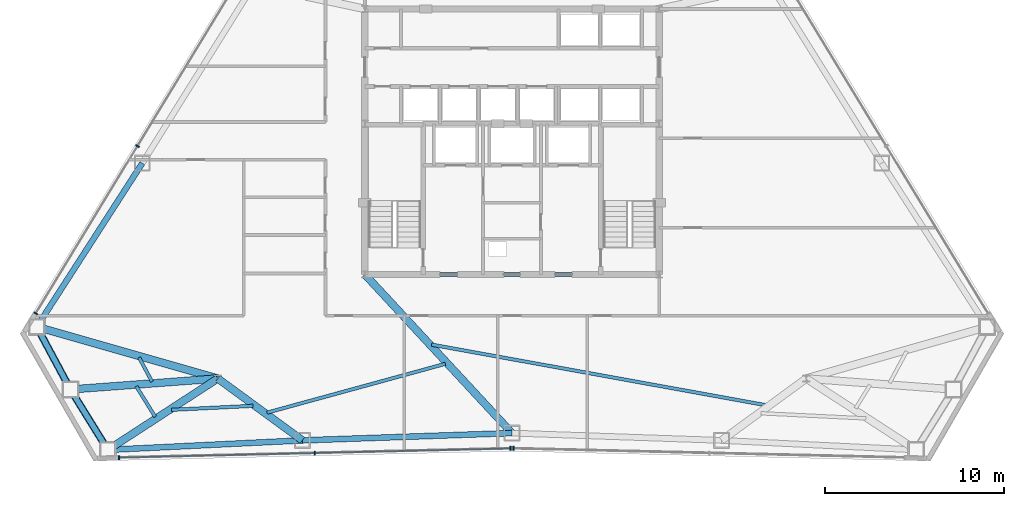
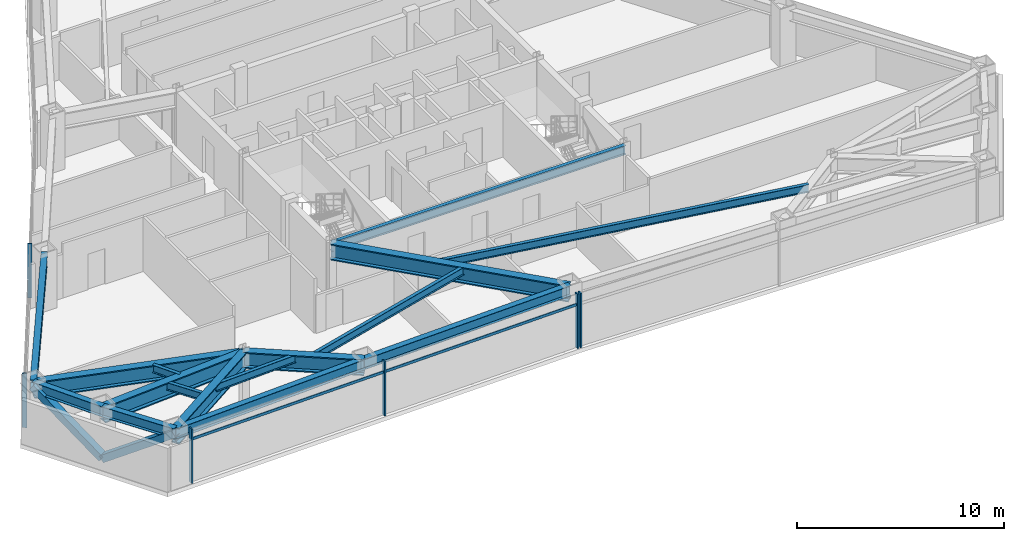
# One storey, part 3 of 11: 16 beams, 9 members, 3 elements without a shape of their own.
"""IFC4 building model written with IfcOpenShell, lengths in metres."""

from ifc_helpers import new_model, si_unit, direction, frame, origin, origin_2d, place, context, subcontext, project, spatial, rectangle, hollow_rectangle, i_section, extrude, source, transform, mapped, material, layer, layer_set, material_profile, profile_set, type_object, type_shapes, element, aggregate, save


model = new_model("IFC4")

# Units and contexts
model_context = context("Model", 3, precision=1e-05, world=origin(), true_north=direction((0.0, 1.0)))
body_context = subcontext(model_context, "Body", "Model", "MODEL_VIEW")
ifc_project = project(units=[si_unit("LENGTHUNIT", "METRE"), si_unit("AREAUNIT", "SQUARE_METRE"), si_unit("VOLUMEUNIT", "CUBIC_METRE"), si_unit("PLANEANGLEUNIT", "RADIAN"), si_unit("MASSUNIT", "GRAM", prefix="KILO")], contexts=[model_context])

# Site, building, storey
site_placement = place(None, origin())
site = spatial("IfcSite", under=ifc_project, at=site_placement, CompositionType="ELEMENT")
building_placement = place(site_placement, origin())
building = spatial("IfcBuilding", under=site, at=building_placement, Name="Varakhsha Concourse Tower", CompositionType="ELEMENT")
storey_placement = place(building_placement, frame((0.0, 0.0, 150.5)))
storey = spatial("IfcBuildingStorey", under=building, at=storey_placement, Name="L43", CompositionType="ELEMENT", Elevation=150.5)

# Beams
ifc_material_1 = material(Name="Structural Steel ASTM A992 Grade 50", Category="steel")
ifc_material_profile_1 = material_profile(ifc_material_1, i_section(OverallWidth=0.19091796875, OverallDepth=0.45703125, WebThickness=0.009033203125, FlangeThickness=0.013916015625, at=origin_2d()), Name="W18X50")
ifc_profile_set_1 = profile_set([ifc_material_profile_1], Name="Structural Steel ASTM A992 Grade 50")
beam_type_1 = type_object("IfcBeamType", Name="BM-JST-W18X50", PredefinedType="JOIST", material=ifc_profile_set_1)
beam_1_placement = place(storey_placement, frame((19.214599609375, 11.770751953125, 2.9814453125), z_axis=(0.472990710882, -0.881067413663, 0.0), x_axis=(0.881067413663, 0.472990710882, 0.0)))
element("IfcBeam", 1, at=beam_1_placement, inside=storey, type_object=beam_type_1, Name="BM-TJST-L43-07", PredefinedType="JOIST", context=body_context, shape_type="SweptSolid", body=[
    extrude(i_section(OverallWidth=0.19091796875, OverallDepth=0.45703125, WebThickness=0.009033203125, FlangeThickness=0.013916015625, at=origin_2d()), origin(), (0.0, 0.0, 1.0), 1.523193359375),
])
beam_2_placement = place(storey_placement, frame((19.0595703125, 10.165283203125, 2.9814453125), z_axis=(0.526535448441, -0.850153175337, 0.0), x_axis=(0.850153175337, 0.526535448441, 0.0)))
element("IfcBeam", 2, at=beam_2_placement, inside=storey, type_object=beam_type_1, Name="BM-TJST-L43-08", PredefinedType="JOIST", context=body_context, shape_type="SweptSolid", body=[
    extrude(i_section(OverallWidth=0.19091796875, OverallDepth=0.45703125, WebThickness=0.009033203125, FlangeThickness=0.013916015625, at=origin_2d()), origin(), (0.0, 0.0, 1.0), 1.99853515625),
])
beam_3_placement = place(storey_placement, frame((21.0146484375, 8.855224609375, 2.9814453125), z_axis=(0.998805473012, 0.04886335111, 0.0), x_axis=(-0.04886335111, 0.998805473012, 0.0)))
element("IfcBeam", 3, at=beam_3_placement, inside=storey, type_object=beam_type_1, Name="BM-TJST-L43-09", PredefinedType="JOIST", context=body_context, shape_type="SweptSolid", body=[
    extrude(i_section(OverallWidth=0.19091796875, OverallDepth=0.45703125, WebThickness=0.009033203125, FlangeThickness=0.013916015625, at=origin_2d()), origin(), (0.0, 0.0, 1.0), 4.556640625),
])
beam_4_placement = place(storey_placement, frame((26.34814453125, 8.698486328125, 2.9814453125), z_axis=(0.964500874663, 0.264079652331, 0.0), x_axis=(-0.264079652331, 0.964500874663, 0.0)))
element("IfcBeam", 4, at=beam_4_placement, inside=storey, type_object=beam_type_1, Name="BM-TJST-L43-10", PredefinedType="JOIST", context=body_context, shape_type="SweptSolid", body=[
    extrude(i_section(OverallWidth=0.19091796875, OverallDepth=0.45703125, WebThickness=0.009033203125, FlangeThickness=0.013916015625, at=origin_2d()), origin(), (0.0, 0.0, 1.0), 10.303466796875),
])
beam_5_placement = place(storey_placement, frame((35.51611328125, 12.489990234375, 2.9814453125), z_axis=(0.983987681098, -0.178236481807, 0.0), x_axis=(0.178236481807, 0.983987681098, 0.0)))
element("IfcBeam", 5, at=beam_5_placement, inside=storey, type_object=beam_type_1, Name="BM-TJST-L43-11", PredefinedType="JOIST", context=body_context, shape_type="SweptSolid", body=[
    extrude(i_section(OverallWidth=0.19091796875, OverallDepth=0.45703125, WebThickness=0.009033203125, FlangeThickness=0.013916015625, at=origin_2d()), origin(), (0.0, 0.0, 1.0), 19.00390625),
])
ifc_material_profile_2 = material_profile(ifc_material_1, i_section(OverallWidth=0.423095703125, OverallDepth=0.947998046875, WebThickness=0.0380859375, FlangeThickness=0.06396484375, at=origin_2d()), Name="W36X302")
ifc_profile_set_2 = profile_set([ifc_material_profile_2], Name="Structural Steel ASTM A992 Grade 50")
beam_type_2 = type_object("IfcBeamType", Name="BM-OUTR-W36X302", PredefinedType="USERDEFINED", material=ifc_profile_set_2)
beam_6_placement = place(storey_placement, frame((23.60009765625, 10.60009765625, 2.736083984375), z_axis=(-0.961533609036, 0.274687310761, 0.0), x_axis=(-0.274687310761, -0.961533609036, 0.0)))
element("IfcBeam", 6, at=beam_6_placement, inside=storey, type_object=beam_type_2, Name="L43 Radial Floor Girder 07", ObjectType="GIRDER", PredefinedType="USERDEFINED", context=body_context, shape_type="SweptSolid", body=[
    extrude(i_section(OverallWidth=0.423095703125, OverallDepth=0.947998046875, WebThickness=0.0380859375, FlangeThickness=0.06396484375, at=origin_2d()), origin(), (0.0, 0.0, 1.0), 10.48876953125),
])
beam_7_placement = place(storey_placement, frame((23.60009765625, 10.60009765625, 2.736083984375), z_axis=(-0.99725755111, -0.074009301804, 0.0), x_axis=(0.074009301804, -0.99725755111, 0.0)))
element("IfcBeam", 7, at=beam_7_placement, inside=storey, type_object=beam_type_2, Name="L43 Radial Floor Girder 08", ObjectType="GIRDER", PredefinedType="USERDEFINED", context=body_context, shape_type="SweptSolid", body=[
    extrude(i_section(OverallWidth=0.423095703125, OverallDepth=0.947998046875, WebThickness=0.0380859375, FlangeThickness=0.06396484375, at=origin_2d()), origin(), (0.0, 0.0, 1.0), 8.233642578125),
])
beam_8_placement = place(storey_placement, frame((23.60009765625, 10.60009765625, 2.736083984375), z_axis=(-0.838695554596, -0.544600557014, 0.0), x_axis=(0.544600557014, -0.838695554596, 0.0)))
element("IfcBeam", 8, at=beam_8_placement, inside=storey, type_object=beam_type_2, Name="L43 Radial Floor Girder 09", ObjectType="GIRDER", PredefinedType="USERDEFINED", context=body_context, shape_type="SweptSolid", body=[
    extrude(i_section(OverallWidth=0.423095703125, OverallDepth=0.947998046875, WebThickness=0.0380859375, FlangeThickness=0.06396484375, at=origin_2d()), origin(), (0.0, 0.0, 1.0), 7.3037109375),
])
beam_9_placement = place(storey_placement, frame((23.60009765625, 10.60009765625, 2.736083984375), z_axis=(0.807418681371, -0.589978875023, 0.0), x_axis=(0.589978875023, 0.807418681371, 0.0)))
element("IfcBeam", 9, at=beam_9_placement, inside=storey, type_object=beam_type_2, Name="L43 Radial Floor Girder 10", ObjectType="GIRDER", PredefinedType="USERDEFINED", context=body_context, shape_type="SweptSolid", body=[
    extrude(i_section(OverallWidth=0.423095703125, OverallDepth=0.947998046875, WebThickness=0.0380859375, FlangeThickness=0.06396484375, at=origin_2d()), origin(), (0.0, 0.0, 1.0), 5.843017578125),
])
beam_10_placement = place(storey_placement, frame((31.800048828125, 16.39990234375, 2.736083984375), z_axis=(0.679992803084, -0.733218785735, 0.0), x_axis=(0.733218785735, 0.679992803084, 0.0)))
element("IfcBeam", 10, at=beam_10_placement, inside=storey, type_object=beam_type_2, Name="L43 Radial Floor Girder 11", ObjectType="GIRDER", PredefinedType="USERDEFINED", context=body_context, shape_type="SweptSolid", body=[
    extrude(i_section(OverallWidth=0.423095703125, OverallDepth=0.947998046875, WebThickness=0.0380859375, FlangeThickness=0.06396484375, at=origin_2d()), origin(), (0.0, 0.0, 1.0), 12.058837890625),
])
ifc_material_profile_3 = material_profile(ifc_material_1, i_section(OverallWidth=0.2109375, OverallDepth=0.5390625, WebThickness=0.011962890625, FlangeThickness=0.01904296875, at=origin_2d()), Name="W21X73")
ifc_profile_set_3 = profile_set([ifc_material_profile_3], Name="Structural Steel ASTM A992 Grade 50")
beam_type_3 = type_object("IfcBeamType", Name="BM-RAD-W21X73", PredefinedType="BEAM", material=ifc_profile_set_3)
beam_11_placement = place(storey_placement, frame((31.800048828125, 16.39990234375, 2.9404296875), z_axis=(1.0, 0.0, 0.0), x_axis=(0.0, 1.0, 0.0)))
element("IfcBeam", 11, at=beam_11_placement, inside=storey, type_object=beam_type_3, Name="BM-TCORE-L43-CS", PredefinedType="BEAM", context=body_context, shape_type="SweptSolid", body=[
    extrude(i_section(OverallWidth=0.2109375, OverallDepth=0.5390625, WebThickness=0.011962890625, FlangeThickness=0.01904296875, at=origin_2d()), origin(), (0.0, 0.0, 1.0), 16.39990234375),
])
ifc_material_profile_4 = material_profile(ifc_material_1, i_section(OverallWidth=0.323974609375, OverallDepth=0.611083984375, WebThickness=0.012939453125, FlangeThickness=0.01904296875, at=origin_2d()), Name="W24X104")
ifc_profile_set_4 = profile_set([ifc_material_profile_4], Name="Structural Steel ASTM A992 Grade 50")
beam_type_4 = type_object("IfcBeamType", Name="BM-SPAN-W24X104", PredefinedType="SPANDREL", material=ifc_profile_set_4)
beam_12_placement = place(storey_placement, frame((19.3955078125, 22.6064453125, 2.904541015625), z_axis=(-0.541694977755, -0.840575131131, 0.0), x_axis=(0.840575131131, -0.541694977755, 0.0)))
element("IfcBeam", 12, at=beam_12_placement, inside=storey, type_object=beam_type_4, Name="BM-SPAN-L43-06", PredefinedType="SPANDREL", context=body_context, shape_type="SweptSolid", body=[
    extrude(i_section(OverallWidth=0.323974609375, OverallDepth=0.611083984375, WebThickness=0.012939453125, FlangeThickness=0.01904296875, at=origin_2d()), origin(), (0.0, 0.0, 1.0), 10.85595703125),
])
for number, where, z_axis, x_axis, name in (
    (13, (13.514892578125, 13.481201171875, 2.904541015625), (0.473030089432, -0.881046272617, 0.0), (0.881046272617, 0.473030089432, 0.0), "BM-SPAN-L43-07"),
    (14, (15.388916015625, 9.99072265625, 2.904541015625), (0.526471295038, -0.850192904875, 0.0), (0.850192904875, 0.526471295038, 0.0), "BM-SPAN-L43-08"),
):
    element("IfcBeam", number, at=place(storey_placement, frame(where, z_axis=z_axis, x_axis=x_axis)), inside=storey, type_object=beam_type_4, Name=name, PredefinedType="SPANDREL", context=body_context, shape_type="SweptSolid", body=[
        extrude(i_section(OverallWidth=0.323974609375, OverallDepth=0.611083984375, WebThickness=0.012939453125, FlangeThickness=0.01904296875, at=origin_2d()), origin(), (0.0, 0.0, 1.0), 3.961669921875),
    ])
beam_13_placement = place(storey_placement, frame((17.474609375, 6.62255859375, 2.904541015625), z_axis=(0.998806364453, 0.048845125942, 0.0), x_axis=(-0.048845125942, 0.998806364453, 0.0)))
element("IfcBeam", 15, at=beam_13_placement, inside=storey, type_object=beam_type_4, Name="BM-SPAN-L43-09", PredefinedType="SPANDREL", context=body_context, shape_type="SweptSolid", body=[
    extrude(i_section(OverallWidth=0.323974609375, OverallDepth=0.611083984375, WebThickness=0.012939453125, FlangeThickness=0.01904296875, at=origin_2d()), origin(), (0.0, 0.0, 1.0), 10.856201171875),
])
beam_14_placement = place(storey_placement, frame((28.31787109375, 7.15283203125, 2.904541015625), z_axis=(0.999398784039, 0.034670887806, 0.0), x_axis=(-0.034670887806, 0.999398784039, 0.0)))
element("IfcBeam", 16, at=beam_14_placement, inside=storey, type_object=beam_type_4, Name="BM-SPAN-L43-10", PredefinedType="SPANDREL", context=body_context, shape_type="SweptSolid", body=[
    extrude(i_section(OverallWidth=0.323974609375, OverallDepth=0.611083984375, WebThickness=0.012939453125, FlangeThickness=0.01904296875, at=origin_2d()), origin(), (0.0, 0.0, 1.0), 11.689208984375),
])

# Members
ifc_material_2 = material(Name="Structural Steel ASTM A500 Grade C", Category="steel")
ifc_material_profile_5 = material_profile(ifc_material_2, hollow_rectangle(XDim=0.39990234375, YDim=0.39990234375, WallThickness=0.01611328125, at=origin_2d()), Name="HSS 400x400x16")
ifc_profile_set_5 = profile_set([ifc_material_profile_5], Name="Structural Steel ASTM A500 Grade C")
member_type_1 = type_object("IfcMemberType", Name="MB-TUBE-HSS400", PredefinedType="BRACE", material=ifc_profile_set_5)
shared_shape_1 = source(origin(), body_context, "Body", "SweptSolid", [
    extrude(hollow_rectangle(XDim=0.39990234375, YDim=0.39990234375, WallThickness=0.01611328125, at=origin_2d()), origin(), (0.0, 0.0, 1.0), 4.845458984375),
])
type_shapes(member_type_1, [shared_shape_1])
for number, where, z_axis, x_axis, name in (
    (17, (15.388916015625, 9.99072265625, 0.1201171875), (-0.386759634404, 0.720362492583, 0.575755907026), (-0.881046272617, -0.473030089432, 0.0), "L43 Wind-Corner Tube Brace B03"),
    (18, (15.388916015625, 9.99072265625, 0.1201171875), (0.430450873678, -0.695130545858, 0.575765203503), (0.850192904875, 0.526471295038, 0.0), "L43 Wind-Corner Tube Brace B04"),
):
    element("IfcMember", number, at=place(storey_placement, frame(where, z_axis=z_axis, x_axis=x_axis)), inside=storey, type_object=member_type_1, Name=name, PredefinedType="BRACE", context=body_context, shape_type="MappedRepresentation", body=[
        mapped(shared_shape_1, transform((0.0, 0.0, 0.0), scale=1.0)),
    ])

# Curtain wall, members
ifc_material_3 = material(Name="Anodised Bronze Architectural Aluminium AA 6063-T6", Category="aluminium")
ifc_layer = layer(ifc_material_3, 0.2099609375, Name="CW-SYS-04")
ifc_layer_set = layer_set([ifc_layer], Name="Anodised Bronze Architectural Aluminium AA 6063-T6")
curtain_wall_type = type_object("IfcCurtainWallType", Name="CW-SYS-04", PredefinedType="NOTDEFINED", material=ifc_layer_set)
curtain_wall_1_placement = place(storey_placement, origin())
curtain_wall_1 = element("IfcCurtainWall", 19, at=curtain_wall_1_placement, inside=storey, type_object=curtain_wall_type, Name="L43 Crystal Curtain Wall F3", PredefinedType="NOTDEFINED")
ifc_material_profile_6 = material_profile(ifc_material_3, rectangle(XDim=0.074951171875, YDim=0.219970703125, at=origin_2d()), Name="CWM-220X75")
ifc_profile_set_6 = profile_set([ifc_material_profile_6], Name="Anodised Bronze Architectural Aluminium AA 6063-T6")
member_type_2 = type_object("IfcMemberType", Name="CWM-220X75", PredefinedType="MULLION", material=ifc_profile_set_6)
shared_shape_2 = source(origin(), body_context, "Body", "SweptSolid", [
    extrude(rectangle(XDim=0.074951171875, YDim=0.219970703125, at=origin_2d()), origin(), (0.0, 0.0, 1.0), 3.2099609375),
])
type_shapes(member_type_2, [shared_shape_2])
member_1_placement = place(storey_placement, frame((13.451904296875, 14.23095703125, 0.0), z_axis=(0.0, 0.0, 1.0), x_axis=(0.520125944735, 0.854089574701, 0.0)))
member_1 = element("IfcMember", 20, at=member_1_placement, type_object=member_type_2, Name="CW-L43-F3 Mullion 00", PredefinedType="MULLION", context=body_context, shape_type="MappedRepresentation", body=[
    mapped(shared_shape_2, transform((0.0, 0.0, 0.0), scale=1.0)),
])
member_2_placement = place(storey_placement, frame((19.129150390625, 23.55322265625, 0.0), z_axis=(0.0, 0.0, 1.0), x_axis=(0.520125944735, 0.854089574701, 0.0)))
member_2 = element("IfcMember", 21, at=member_2_placement, type_object=member_type_2, Name="CW-L43-F3 Mullion 01", PredefinedType="MULLION", context=body_context, shape_type="MappedRepresentation", body=[
    mapped(shared_shape_2, transform((0.0, 0.0, 0.0), scale=1.0)),
])
aggregate(curtain_wall_1, [member_1, member_2])

curtain_wall_2_placement = place(storey_placement, origin())
curtain_wall_2 = element("IfcCurtainWall", 22, at=curtain_wall_2_placement, inside=storey, type_object=curtain_wall_type, Name="L43 Crystal Curtain Wall F5", PredefinedType="NOTDEFINED")
member_3_placement = place(storey_placement, frame((39.916259765625, 6.7041015625, 0.0), z_axis=(0.0, 0.0, 1.0), x_axis=(-0.999726077797, -0.023404473363, 0.0)))
member_3 = element("IfcMember", 23, at=member_3_placement, type_object=member_type_2, Name="CW-L43-F5 Mullion 00", PredefinedType="MULLION", context=body_context, shape_type="MappedRepresentation", body=[
    mapped(shared_shape_2, transform((0.0, 0.0, 0.0), scale=1.0)),
])
member_4_placement = place(storey_placement, frame((29.00439453125, 6.44873046875, 0.0), z_axis=(0.0, 0.0, 1.0), x_axis=(-0.999726077797, -0.023404473363, 0.0)))
member_4 = element("IfcMember", 24, at=member_4_placement, type_object=member_type_2, Name="CW-L43-F5 Mullion 01", PredefinedType="MULLION", context=body_context, shape_type="MappedRepresentation", body=[
    mapped(shared_shape_2, transform((0.0, 0.0, 0.0), scale=1.0)),
])
member_5_placement = place(storey_placement, frame((18.092529296875, 6.193115234375, 0.0), z_axis=(0.0, 0.0, 1.0), x_axis=(-0.999726077797, -0.023404473363, 0.0)))
member_5 = element("IfcMember", 25, at=member_5_placement, type_object=member_type_2, Name="CW-L43-F5 Mullion 02", PredefinedType="MULLION", context=body_context, shape_type="MappedRepresentation", body=[
    mapped(shared_shape_2, transform((0.0, 0.0, 0.0), scale=1.0)),
])

# Curtain wall, member
curtain_wall_3_placement = place(storey_placement, origin())
curtain_wall_3 = element("IfcCurtainWall", 26, at=curtain_wall_3_placement, inside=storey, type_object=curtain_wall_type, Name="L43 Crystal Curtain Wall F6", PredefinedType="NOTDEFINED")
member_6_placement = place(storey_placement, frame((40.083740234375, 6.7041015625, 0.0), z_axis=(0.0, 0.0, 1.0), x_axis=(-0.999726077797, 0.023404473363, 0.0)))
member_6 = element("IfcMember", 27, at=member_6_placement, type_object=member_type_2, Name="CW-L43-F6 Mullion 02", PredefinedType="MULLION", context=body_context, shape_type="MappedRepresentation", body=[
    mapped(shared_shape_2, transform((0.0, 0.0, 0.0), scale=1.0)),
])
aggregate(curtain_wall_3, [member_6])

# Member
ifc_material_profile_7 = material_profile(ifc_material_3, rectangle(XDim=0.06494140625, YDim=0.159912109375, at=origin_2d()), Name="CWT-160X65")
ifc_profile_set_7 = profile_set([ifc_material_profile_7], Name="Anodised Bronze Architectural Aluminium AA 6063-T6")
member_type_3 = type_object("IfcMemberType", Name="CWT-160X65", PredefinedType="USERDEFINED", material=ifc_profile_set_7)
shared_shape_3 = source(origin(), body_context, "Body", "SweptSolid", [
    extrude(rectangle(XDim=0.06494140625, YDim=0.159912109375, at=origin_2d()), origin(), (0.0, 0.0, 1.0), 21.82958984375),
])
type_shapes(member_type_3, [shared_shape_3])
member_7_placement = place(storey_placement, frame((39.916259765625, 6.7041015625, 2.56005859375), z_axis=(-0.999725999054, -0.023407836626, 0.0), x_axis=(0.023407836626, -0.999725999054, 0.0)))
member_7 = element("IfcMember", 28, at=member_7_placement, type_object=member_type_3, Name="CW-L43-F5 Transom 01", ObjectType="TRANSOM", PredefinedType="USERDEFINED", context=body_context, shape_type="MappedRepresentation", body=[
    mapped(shared_shape_3, transform((0.0, 0.0, 0.0), scale=1.0)),
])

aggregate(curtain_wall_2, [member_3, member_4, member_5, member_7])

save(model, "model.ifc")
